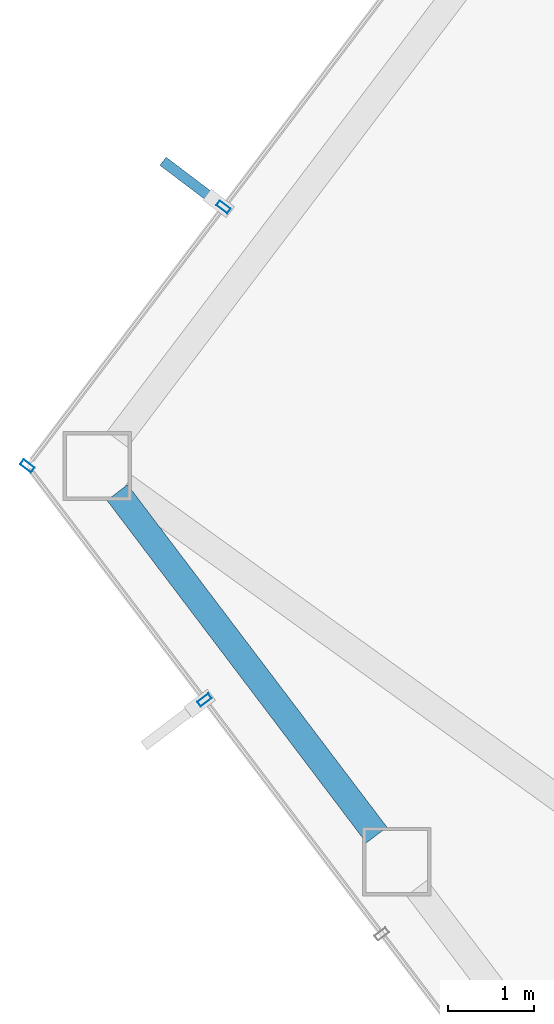
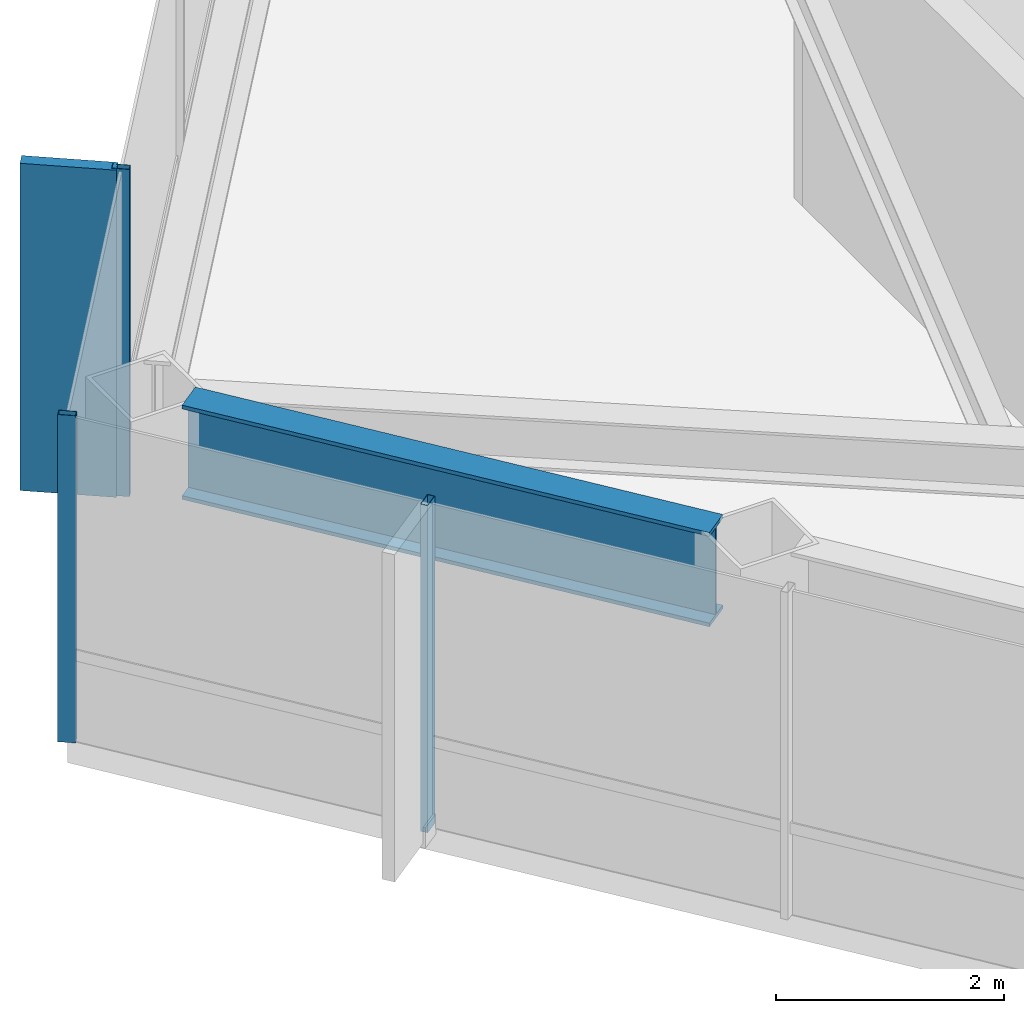
# One storey, part 10 of 29: 4 members, 1 beam, 2 elements without a shape of their own.
"""IFC4 building model written with IfcOpenShell, lengths in metres."""

from ifc_helpers import new_model, si_unit, direction, frame, origin, origin_2d, place, context, subcontext, project, spatial, rectangle, hollow_rectangle, i_section, extrude, material, layer, layer_set, material_profile, profile_set, type_object, element, aggregate, save


model = new_model("IFC4")

# Units and contexts
model_context = context("Model", 3, precision=1e-05, world=origin(), true_north=direction((0.0, 1.0)))
body_context = subcontext(model_context, "Body", "Model", "MODEL_VIEW")
ifc_project = project(units=[si_unit("LENGTHUNIT", "METRE"), si_unit("AREAUNIT", "SQUARE_METRE"), si_unit("VOLUMEUNIT", "CUBIC_METRE"), si_unit("PLANEANGLEUNIT", "RADIAN"), si_unit("MASSUNIT", "GRAM", prefix="KILO")], contexts=[model_context])

# Site, building, storey
site_placement = place(None, origin())
site = spatial("IfcSite", under=ifc_project, at=site_placement, CompositionType="ELEMENT")
building_placement = place(site_placement, origin())
building = spatial("IfcBuilding", under=site, at=building_placement, Name="Zarrinselat Tower", CompositionType="ELEMENT")
storey_placement = place(building_placement, frame((0.0, 0.0, 134.639892578125)))
storey = spatial("IfcBuildingStorey", under=building, at=storey_placement, Name="L32", CompositionType="ELEMENT", Elevation=134.639892578125)

# Beam
ifc_material_1 = material(Name="Steel S460M", Category="steel")
ifc_material_profile_1 = material_profile(ifc_material_1, i_section(OverallWidth=0.302001953125, OverallDepth=1.008056640625, WebThickness=0.02099609375, FlangeThickness=0.0400390625, at=origin_2d()), Name="HEM 1000")
ifc_profile_set_1 = profile_set([ifc_material_profile_1], Name="Steel S460M")
beam_type = type_object("IfcBeamType", Name="BM-HEM1000", PredefinedType="BEAM", material=ifc_profile_set_1)
beam_placement = place(storey_placement, frame((16.472412109375, 36.7509765625, 2.99609375), z_axis=(0.603840817035, -0.797104928904, 0.0), x_axis=(0.797104928904, 0.603840817035, 0.0)))
element("IfcBeam", 1, at=beam_placement, inside=storey, type_object=beam_type, Name="L32 Perimeter Spandrel Girder SP06", PredefinedType="BEAM", context=body_context, shape_type="SweptSolid", body=[
    extrude(i_section(OverallWidth=0.302001953125, OverallDepth=1.008056640625, WebThickness=0.02099609375, FlangeThickness=0.0400390625, at=origin_2d()), origin(), (0.0, 0.0, 1.0), 5.01513671875),
])

# Curtain wall, members
ifc_material_2 = material(Name="Extruded Aluminium Alloy EN AW-6063 T6", Category="aluminium")
ifc_layer = layer(ifc_material_2, 0.175048828125)
ifc_layer_set = layer_set([ifc_layer], Name="Extruded Aluminium Alloy EN AW-6063 T6")
curtain_wall_type = type_object("IfcCurtainWallType", Name="CWS-HTL", PredefinedType="NOTDEFINED", material=ifc_layer_set)
curtain_wall_1_placement = place(storey_placement, origin())
curtain_wall_1 = element("IfcCurtainWall", 2, at=curtain_wall_1_placement, inside=storey, type_object=curtain_wall_type, Name="L32 Unitised Curtain Wall CW-L32-E02", PredefinedType="NOTDEFINED")
ifc_material_3 = material(Name="Extruded Aluminium Alloy EN AW-6063 T6", Category="aluminium")
ifc_material_profile_2 = material_profile(ifc_material_3, hollow_rectangle(XDim=0.070068359375, YDim=0.159912109375, WallThickness=0.00390625, at=origin_2d()), Name="RHS 160x70x4")
ifc_profile_set_2 = profile_set([ifc_material_profile_2], Name="Extruded Aluminium Alloy EN AW-6063 T6")
member_type_1 = type_object("IfcMemberType", Name="MEM-CW-MUL2", PredefinedType="MULLION", material=ifc_profile_set_2)
member_1_placement = place(storey_placement, frame((17.712158203125, 40.082763671875, 0.0), z_axis=(0.0, 0.0, 1.0), x_axis=(-0.603859211262, -0.797090994162, 0.0)))
member_1 = element("IfcMember", 3, at=member_1_placement, type_object=member_type_1, Name="CW-L32-E02 Mullion 3", PredefinedType="MULLION", context=body_context, shape_type="SweptSolid", body=[
    extrude(hollow_rectangle(XDim=0.070068359375, YDim=0.159912109375, WallThickness=0.00390625, at=origin_2d()), origin(), (0.0, 0.0, 1.0), 3.5),
])
member_2_placement = place(storey_placement, frame((15.422607421875, 37.060302734375, 0.0), z_axis=(0.0, 0.0, 1.0), x_axis=(-0.603859211262, -0.797090994162, 0.0)))
member_2 = element("IfcMember", 4, at=member_2_placement, type_object=member_type_1, Name="CW-L32-E02 Mullion 4", PredefinedType="MULLION", context=body_context, shape_type="SweptSolid", body=[
    extrude(hollow_rectangle(XDim=0.070068359375, YDim=0.159912109375, WallThickness=0.00390625, at=origin_2d()), origin(), (0.0, 0.0, 1.0), 3.5),
])

# Curtain wall, member
curtain_wall_2_placement = place(storey_placement, origin())
curtain_wall_2 = element("IfcCurtainWall", 5, at=curtain_wall_2_placement, inside=storey, type_object=curtain_wall_type, Name="L32 Unitised Curtain Wall CW-L32-E03", PredefinedType="NOTDEFINED")
member_3_placement = place(storey_placement, frame((17.4912109375, 34.32958984375, 0.0), z_axis=(0.0, 0.0, 1.0), x_axis=(0.603855520216, -0.797093790407, 0.0)))
member_3 = element("IfcMember", 6, at=member_3_placement, type_object=member_type_1, Name="CW-L32-E03 Mullion 1", PredefinedType="MULLION", context=body_context, shape_type="SweptSolid", body=[
    extrude(hollow_rectangle(XDim=0.070068359375, YDim=0.159912109375, WallThickness=0.00390625, at=origin_2d()), origin(), (0.0, 0.0, 1.0), 3.5),
])
aggregate(curtain_wall_2, [member_3])

# Member
ifc_material_4 = material(Name="Honed Cream Travertine Stone", Category="masonry")
ifc_material_profile_3 = material_profile(ifc_material_4, rectangle(XDim=0.1201171875, YDim=0.85009765625, at=origin_2d()), Name="FIN 850x120")
ifc_profile_set_3 = profile_set([ifc_material_profile_3], Name="Honed Cream Travertine Stone")
member_type_2 = type_object("IfcMemberType", Name="MEM-STONE-FIN", PredefinedType="USERDEFINED", material=ifc_profile_set_3)
member_4_placement = place(storey_placement, frame((17.345458984375, 40.360595703125, 0.0), z_axis=(0.0, 0.0, 1.0), x_axis=(0.603859211262, 0.797090994162, 0.0)))
member_4 = element("IfcMember", 7, at=member_4_placement, type_object=member_type_2, Name="L32 Stone Shading Fin CW-L32-E02-03", ObjectType="FIN", PredefinedType="USERDEFINED", context=body_context, shape_type="SweptSolid", body=[
    extrude(rectangle(XDim=0.1201171875, YDim=0.85009765625, at=origin_2d()), origin(), (0.0, 0.0, 1.0), 3.5),
])

aggregate(curtain_wall_1, [member_1, member_4, member_2])

save(model, "model.ifc")
